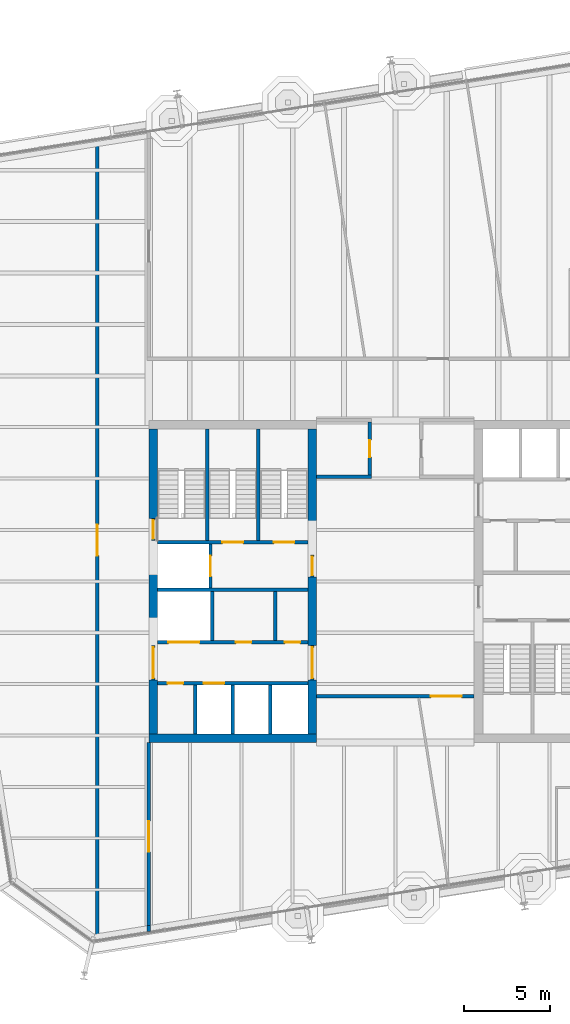
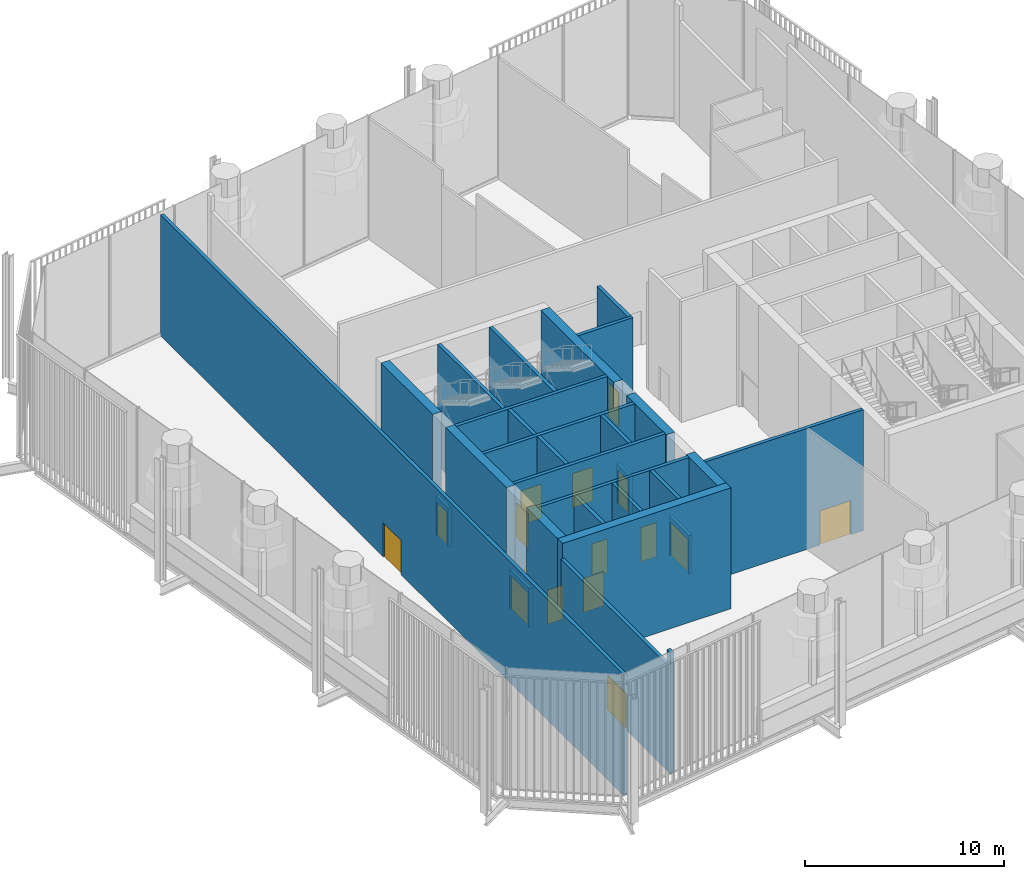
# One storey, part 11 of 17: 29 walls, 16 doors, 16 openings.
"""IFC4 building model written with IfcOpenShell, lengths in metres."""

from ifc_helpers import new_model, si_unit, direction, frame, frame_2d, origin, place, context, subcontext, project, spatial, rectangle, extrude, material, layer, layer_set, type_object, element, fill, save


model = new_model("IFC4")

# Units and contexts
model_context = context("Model", 3, precision=1e-05, world=origin(), true_north=direction((0.0, 1.0)))
body_context = subcontext(model_context, "Body", "Model", "MODEL_VIEW")
ifc_project = project(units=[si_unit("LENGTHUNIT", "METRE"), si_unit("AREAUNIT", "SQUARE_METRE"), si_unit("VOLUMEUNIT", "CUBIC_METRE"), si_unit("PLANEANGLEUNIT", "RADIAN"), si_unit("MASSUNIT", "GRAM", prefix="KILO")], contexts=[model_context])

# Site, building, storey
site_placement = place(None, origin())
site = spatial("IfcSite", under=ifc_project, at=site_placement, CompositionType="ELEMENT")
building_placement = place(site_placement, origin())
building = spatial("IfcBuilding", under=site, at=building_placement, Name="Millrace Tower", CompositionType="ELEMENT")
storey_placement = place(building_placement, frame((0.0, 0.0, 239.800048828125)))
storey = spatial("IfcBuildingStorey", under=building, at=storey_placement, Name="L55", CompositionType="ELEMENT", Elevation=239.800048828125)

# Walls
ifc_material_1 = material(Name="Concrete C60", Category="concrete")
ifc_layer_1 = layer(ifc_material_1, 0.5)
ifc_layer_set_1 = layer_set([ifc_layer_1], Name="Concrete C60")
wall_type_1 = type_object("IfcWallType", Name="Core wall 500 Concrete C60", PredefinedType="SHEAR", material=ifc_layer_set_1)
wall_1_placement = place(storey_placement, frame((-14.39990234375, -9.14990234375, 0.0), z_axis=(0.0, 0.0, 1.0), x_axis=(1.0, 0.0, 0.0)))
element("IfcWall", 1, at=wall_1_placement, inside=storey, type_object=wall_type_1, Name="Core wall W L55", PredefinedType="SHEAR", context=body_context, shape_type="SweptSolid", body=[
    extrude(rectangle(XDim=9.7998046875, YDim=0.5, at=frame_2d((4.89990234375, 0.0))), origin(), (0.0, 0.0, 1.0), 7.43994140625),
])
wall_2_placement = place(storey_placement, frame((-14.14990234375, -8.89990234375, 0.0), z_axis=(0.0, 0.0, 1.0), x_axis=(0.0, 1.0, 0.0)))
element("IfcWall", 2, at=wall_2_placement, inside=storey, type_object=wall_type_1, Name="Core wall W L55", PredefinedType="SHEAR", context=body_context, shape_type="SweptSolid", body=[
    extrude(rectangle(XDim=3.14990234375, YDim=0.5, at=frame_2d((1.574951171875, 0.0))), origin(), (0.0, 0.0, 1.0), 7.43994140625),
])
wall_3_placement = place(storey_placement, frame((-14.14990234375, -3.75, 0.0), z_axis=(0.0, 0.0, 1.0), x_axis=(0.0, 1.0, 0.0)))
element("IfcWall", 3, at=wall_3_placement, inside=storey, type_object=wall_type_1, Name="Core wall W L55", PredefinedType="SHEAR", context=body_context, shape_type="SweptSolid", body=[
    extrude(rectangle(XDim=6.1298828125, YDim=0.5, at=frame_2d((3.06494140625, 0.0))), origin(), (0.0, 0.0, 1.0), 7.43994140625),
])
wall_4_placement = place(storey_placement, frame((-14.14990234375, 3.679931640625, 0.0), z_axis=(0.0, 0.0, 1.0), x_axis=(0.0, 1.0, 0.0)))
element("IfcWall", 4, at=wall_4_placement, inside=storey, type_object=wall_type_1, Name="Core wall W L55", PredefinedType="SHEAR", context=body_context, shape_type="SweptSolid", body=[
    extrude(rectangle(XDim=5.219970703125, YDim=0.5, at=frame_2d((2.60986328125, 0.0))), origin(), (0.0, 0.0, 1.0), 7.43994140625),
])
wall_5_placement = place(storey_placement, frame((-4.85009765625, -8.89990234375, 0.0), z_axis=(0.0, 0.0, 1.0), x_axis=(0.0, 1.0, 0.0)))
element("IfcWall", 5, at=wall_5_placement, inside=storey, type_object=wall_type_1, Name="Core wall W L55", PredefinedType="SHEAR", context=body_context, shape_type="SweptSolid", body=[
    extrude(rectangle(XDim=3.14990234375, YDim=0.5, at=frame_2d((1.574951171875, 0.0))), origin(), (0.0, 0.0, 1.0), 7.43994140625),
])
wall_6_placement = place(storey_placement, frame((-4.85009765625, -3.75, 0.0), z_axis=(0.0, 0.0, 1.0), x_axis=(0.0, 1.0, 0.0)))
element("IfcWall", 6, at=wall_6_placement, inside=storey, type_object=wall_type_1, Name="Core wall W L55", PredefinedType="SHEAR", context=body_context, shape_type="SweptSolid", body=[
    extrude(rectangle(XDim=4.0, YDim=0.5, at=frame_2d((2.0, 0.0))), origin(), (0.0, 0.0, 1.0), 7.43994140625),
])
wall_7_placement = place(storey_placement, frame((-4.85009765625, 1.550048828125, 0.0), z_axis=(0.0, 0.0, 1.0), x_axis=(0.0, 1.0, 0.0)))
element("IfcWall", 7, at=wall_7_placement, inside=storey, type_object=wall_type_1, Name="Core wall W L55", PredefinedType="SHEAR", context=body_context, shape_type="SweptSolid", body=[
    extrude(rectangle(XDim=7.349853515625, YDim=0.5, at=frame_2d((3.6748046875, 0.0))), origin(), (0.0, 0.0, 1.0), 7.43994140625),
])

# Wall, opening, door
ifc_material_2 = material(Name="Masonry partition, fire-rated", Category="masonry")
ifc_layer_2 = layer(ifc_material_2, 0.199951171875)
ifc_layer_set_2 = layer_set([ifc_layer_2], Name="Masonry partition, fire-rated")
wall_type_2 = type_object("IfcWallType", Name="Corridor wall 200", PredefinedType="PARTITIONING", material=ifc_layer_set_2)
wall_8_placement = place(storey_placement, frame((-4.60009765625, -6.699951171875, 0.0), z_axis=(0.0, 0.0, 1.0), x_axis=(1.0, 0.0, 0.0)))
wall_8 = element("IfcWall", 8, at=wall_8_placement, inside=storey, type_object=wall_type_2, Name="Corridor wall L55", PredefinedType="PARTITIONING", context=body_context, shape_type="SweptSolid", body=[
    extrude(rectangle(XDim=9.2001953125, YDim=0.199951171875, at=frame_2d((4.60009765625, 0.0))), origin(), (0.0, 0.0, 1.0), 7.43994140625),
])
opening_1_placement = place(wall_8_placement, frame((6.669921875, 0.0, 0.0)))
opening_1 = element("IfcOpeningElement", 9, at=opening_1_placement, cuts=wall_8, Name="Opening 55-P012", PredefinedType="OPENING", context=body_context, shape_type="SweptSolid", body=[
    extrude(rectangle(XDim=1.800048828125, YDim=2.10009765625, at=frame_2d((0.89990234375, 1.050048828125))), frame((0.0, 0.10986328125, 0.0), z_axis=(0.0, -1.0, 0.0), x_axis=(1.0, 0.0, 0.0)), (0.0, 0.0, 1.0), 0.219970703125),
])
ifc_material_3 = material(Name="Steel door set, fire-rated", Category="steel")
door_type_1 = type_object("IfcDoorType", Name="Corridor door 1800 x 2100", OperationType="DOUBLE_DOOR_SINGLE_SWING", PredefinedType="DOOR", material=ifc_material_3)
door_1_placement = place(opening_1_placement, frame((1.800048828125, 0.0, 0.0), z_axis=(0.0, 0.0, 1.0), x_axis=(-1.0, 0.0, 0.0)))
door_1 = element("IfcDoor", 10, at=door_1_placement, inside=storey, type_object=door_type_1, Name="Door 55-P012", OperationType="DOUBLE_DOOR_SINGLE_SWING", OverallHeight=2.10009765625, OverallWidth=1.800048828125, PredefinedType="DOOR", context=body_context, shape_type="SweptSolid", body=[
    extrude(rectangle(XDim=1.800048828125, YDim=2.10009765625, at=frame_2d((0.89990234375, 1.050048828125))), frame((0.0, 0.02490234375, 0.0), z_axis=(0.0, -1.0, 0.0), x_axis=(1.0, 0.0, 0.0)), (0.0, 0.0, 1.0), 0.050048828125),
])
fill(opening_1, door_1)

# Wall
wall_9_placement = place(storey_placement, frame((-4.60009765625, 6.10009765625, 0.0), z_axis=(0.0, 0.0, 1.0), x_axis=(1.0, 0.0, 0.0)))
element("IfcWall", 11, at=wall_9_placement, inside=storey, type_object=wall_type_2, Name="Corridor wall L55", PredefinedType="PARTITIONING", context=body_context, shape_type="SweptSolid", body=[
    extrude(rectangle(XDim=3.2001953125, YDim=0.199951171875, at=frame_2d((1.60009765625, 0.0))), origin(), (0.0, 0.0, 1.0), 7.43994140625),
])

# Wall, opening, door
wall_10_placement = place(storey_placement, frame((-1.5, 6.199951171875, 0.0), z_axis=(0.0, 0.0, 1.0), x_axis=(0.0, 1.0, 0.0)))
wall_10 = element("IfcWall", 12, at=wall_10_placement, inside=storey, type_object=wall_type_2, Name="Corridor wall L55", PredefinedType="PARTITIONING", context=body_context, shape_type="SweptSolid", body=[
    extrude(rectangle(XDim=3.10009765625, YDim=0.199951171875, at=frame_2d((1.550048828125, 0.0))), origin(), (0.0, 0.0, 1.0), 7.43994140625),
])
opening_2_placement = place(wall_10_placement, frame((1.050048828125, 0.0, 0.0)))
opening_2 = element("IfcOpeningElement", 13, at=opening_2_placement, cuts=wall_10, Name="Opening 55-P001", PredefinedType="OPENING", context=body_context, shape_type="SweptSolid", body=[
    extrude(rectangle(XDim=1.0, YDim=2.10009765625, at=frame_2d((0.5, 1.050048828125))), frame((0.0, 0.10986328125, 0.0), z_axis=(0.0, -1.0, 0.0), x_axis=(1.0, 0.0, 0.0)), (0.0, 0.0, 1.0), 0.219970703125),
])
ifc_material_4 = material(Name="Steel door set, fire-rated", Category="steel")
door_type_2 = type_object("IfcDoorType", Name="Corridor door 1000 x 2100", OperationType="SINGLE_SWING_LEFT", PredefinedType="DOOR", material=ifc_material_4)
door_2_placement = place(opening_2_placement, origin())
door_2 = element("IfcDoor", 14, at=door_2_placement, inside=storey, type_object=door_type_2, Name="Door 55-P001", OperationType="SINGLE_SWING_RIGHT", OverallHeight=2.10009765625, OverallWidth=1.0, PredefinedType="DOOR", context=body_context, shape_type="SweptSolid", body=[
    extrude(rectangle(XDim=1.0, YDim=2.10009765625, at=frame_2d((0.5, 1.050048828125))), frame((0.0, 0.02490234375, 0.0), z_axis=(0.0, -1.0, 0.0), x_axis=(1.0, 0.0, 0.0)), (0.0, 0.0, 1.0), 0.050048828125),
])
fill(opening_2, door_2)

# Wall
wall_11_placement = place(storey_placement, frame((-14.39990234375, -20.43603515625, 0.0), z_axis=(0.0, 0.0, 1.0), x_axis=(0.0, 1.0, 0.0)))
element("IfcWall", 15, at=wall_11_placement, inside=storey, type_object=wall_type_2, Name="Corridor wall L55", PredefinedType="PARTITIONING", context=body_context, shape_type="SweptSolid", body=[
    extrude(rectangle(XDim=0.349609375, YDim=0.199951171875, at=frame_2d((0.1748046875, 0.0))), origin(), (0.0, 0.0, 1.0), 7.43994140625),
])

# Wall, opening, door
wall_12_placement = place(storey_placement, frame((-14.39990234375, -20.08642578125, 0.0), z_axis=(0.0, 0.0, 1.0), x_axis=(0.0, 1.0, 0.0)))
wall_12 = element("IfcWall", 16, at=wall_12_placement, inside=storey, type_object=wall_type_2, Name="Corridor wall L55", PredefinedType="PARTITIONING", context=body_context, shape_type="SweptSolid", body=[
    extrude(rectangle(XDim=10.6865234375, YDim=0.199951171875, at=frame_2d((5.34326171875, 0.0))), origin(), (0.0, 0.0, 1.0), 6.512939453125),
])
opening_3_placement = place(wall_12_placement, frame((4.2939453125, 0.0, 0.0)))
opening_3 = element("IfcOpeningElement", 17, at=opening_3_placement, cuts=wall_12, Name="Opening 55-P011", PredefinedType="OPENING", context=body_context, shape_type="SweptSolid", body=[
    extrude(rectangle(XDim=1.800048828125, YDim=2.10009765625, at=frame_2d((0.89990234375, 1.050048828125))), frame((0.0, 0.10986328125, 0.0), z_axis=(0.0, -1.0, 0.0), x_axis=(1.0, 0.0, 0.0)), (0.0, 0.0, 1.0), 0.219970703125),
])
door_3_placement = place(opening_3_placement, origin())
door_3 = element("IfcDoor", 18, at=door_3_placement, inside=storey, type_object=door_type_1, Name="Door 55-P011", OperationType="DOUBLE_DOOR_SINGLE_SWING", OverallHeight=2.10009765625, OverallWidth=1.800048828125, PredefinedType="DOOR", context=body_context, shape_type="SweptSolid", body=[
    extrude(rectangle(XDim=1.800048828125, YDim=2.10009765625, at=frame_2d((0.89990234375, 1.050048828125))), frame((0.0, 0.02490234375, 0.0), z_axis=(0.0, -1.0, 0.0), x_axis=(1.0, 0.0, 0.0)), (0.0, 0.0, 1.0), 0.050048828125),
])
fill(opening_3, door_3)

wall_13_placement = place(storey_placement, frame((-17.39990234375, -20.9111328125, 0.0), z_axis=(0.0, 0.0, 1.0), x_axis=(0.0, 1.0, 0.0)))
wall_13 = element("IfcWall", 19, at=wall_13_placement, inside=storey, type_object=wall_type_2, Name="Corridor wall L55", PredefinedType="PARTITIONING", context=body_context, shape_type="SweptSolid", body=[
    extrude(rectangle(XDim=46.634033203125, YDim=0.199951171875, at=frame_2d((23.31689453125, 0.0))), origin(), (0.0, 0.0, 1.0), 7.43994140625),
])
opening_4_placement = place(wall_13_placement, frame((22.416748046875, 0.0, 0.0)))
opening_4 = element("IfcOpeningElement", 20, at=opening_4_placement, cuts=wall_13, Name="Opening 55-P003", PredefinedType="OPENING", context=body_context, shape_type="SweptSolid", body=[
    extrude(rectangle(XDim=1.800048828125, YDim=2.10009765625, at=frame_2d((0.89990234375, 1.050048828125))), frame((0.0, 0.10986328125, 0.0), z_axis=(0.0, -1.0, 0.0), x_axis=(1.0, 0.0, 0.0)), (0.0, 0.0, 1.0), 0.219970703125),
])
door_4_placement = place(opening_4_placement, frame((1.800048828125, 0.0, 0.0), z_axis=(0.0, 0.0, 1.0), x_axis=(-1.0, 0.0, 0.0)))
door_4 = element("IfcDoor", 21, at=door_4_placement, inside=storey, type_object=door_type_1, Name="Door 55-P003", OperationType="DOUBLE_DOOR_SINGLE_SWING", OverallHeight=2.10009765625, OverallWidth=1.800048828125, PredefinedType="DOOR", context=body_context, shape_type="SweptSolid", body=[
    extrude(rectangle(XDim=1.800048828125, YDim=2.10009765625, at=frame_2d((0.89990234375, 1.050048828125))), frame((0.0, 0.02490234375, 0.0), z_axis=(0.0, -1.0, 0.0), x_axis=(1.0, 0.0, 0.0)), (0.0, 0.0, 1.0), 0.050048828125),
])
fill(opening_4, door_4)

# Wall, openings, doors
ifc_material_5 = material(Name="Masonry partition, fire-rated", Category="masonry")
ifc_layer_3 = layer(ifc_material_5, 0.199951171875)
ifc_layer_set_3 = layer_set([ifc_layer_3], Name="Masonry partition, fire-rated")
wall_type_3 = type_object("IfcWallType", Name="Lift shaft wall 200", PredefinedType="PARTITIONING", material=ifc_layer_set_3)
wall_14_placement = place(storey_placement, frame((-13.89990234375, -5.949951171875, 0.0), z_axis=(0.0, 0.0, 1.0), x_axis=(1.0, 0.0, 0.0)))
wall_14 = element("IfcWall", 22, at=wall_14_placement, inside=storey, type_object=wall_type_3, Name="Lift shaft wall W L55", PredefinedType="PARTITIONING", context=body_context, shape_type="SweptSolid", body=[
    extrude(rectangle(XDim=8.7998046875, YDim=0.199951171875, at=frame_2d((4.39990234375, 0.0))), origin(), (0.0, 0.0, 1.0), 7.43994140625),
])
opening_5_placement = place(wall_14_placement, frame((2.699951171875, 0.0, 0.0)))
opening_5 = element("IfcOpeningElement", 23, at=opening_5_placement, cuts=wall_14, Name="Opening 55-LD02", PredefinedType="OPENING", context=body_context, shape_type="SweptSolid", body=[
    extrude(rectangle(XDim=1.199951171875, YDim=2.10009765625, at=frame_2d((0.60009765625, 1.050048828125))), frame((0.0, 0.10986328125, 0.0), z_axis=(0.0, -1.0, 0.0), x_axis=(1.0, 0.0, 0.0)), (0.0, 0.0, 1.0), 0.219970703125),
])
opening_6_placement = place(wall_14_placement, frame((0.60009765625, 0.0, 0.0)))
opening_6 = element("IfcOpeningElement", 24, at=opening_6_placement, cuts=wall_14, Name="Opening 55-C005", PredefinedType="OPENING", context=body_context, shape_type="SweptSolid", body=[
    extrude(rectangle(XDim=0.89990234375, YDim=2.10009765625, at=frame_2d((0.449951171875, 1.050048828125))), frame((0.0, 0.10986328125, 0.0), z_axis=(0.0, -1.0, 0.0), x_axis=(1.0, 0.0, 0.0)), (0.0, 0.0, 1.0), 0.219970703125),
])
ifc_material_6 = material(Name="Stainless steel, fire-rated", Category="steel")
door_type_3 = type_object("IfcDoorType", Name="Lift landing door 1200 x 2100", OperationType="DOUBLE_DOOR_SLIDING", PredefinedType="DOOR", material=ifc_material_6)
door_5_placement = place(opening_5_placement, origin())
door_5 = element("IfcDoor", 25, at=door_5_placement, inside=storey, type_object=door_type_3, Name="Lift landing door LF2 L55", OperationType="DOUBLE_DOOR_SLIDING", OverallHeight=2.10009765625, OverallWidth=1.199951171875, PredefinedType="DOOR", context=body_context, shape_type="SweptSolid", body=[
    extrude(rectangle(XDim=1.199951171875, YDim=2.10009765625, at=frame_2d((0.60009765625, 1.050048828125))), frame((0.0, 0.02490234375, 0.0), z_axis=(0.0, -1.0, 0.0), x_axis=(1.0, 0.0, 0.0)), (0.0, 0.0, 1.0), 0.050048828125),
])
fill(opening_5, door_5)
ifc_material_7 = material(Name="Steel door, fire-rated", Category="steel")
door_type_4 = type_object("IfcDoorType", Name="Service room door 900 x 2100", OperationType="SINGLE_SWING_LEFT", PredefinedType="DOOR", material=ifc_material_7)
door_6_placement = place(opening_6_placement, frame((0.89990234375, 0.0, 0.0), z_axis=(0.0, 0.0, 1.0), x_axis=(-1.0, 0.0, 0.0)))
door_6 = element("IfcDoor", 26, at=door_6_placement, inside=storey, type_object=door_type_4, Name="Service room door 55-C005", OperationType="SINGLE_SWING_RIGHT", OverallHeight=2.10009765625, OverallWidth=0.89990234375, PredefinedType="DOOR", context=body_context, shape_type="SweptSolid", body=[
    extrude(rectangle(XDim=0.89990234375, YDim=2.10009765625, at=frame_2d((0.449951171875, 1.050048828125))), frame((0.0, 0.02490234375, 0.0), z_axis=(0.0, -1.0, 0.0), x_axis=(1.0, 0.0, 0.0)), (0.0, 0.0, 1.0), 0.050048828125),
])
fill(opening_6, door_6)

wall_15_placement = place(storey_placement, frame((-13.89990234375, -3.550048828125, 0.0), z_axis=(0.0, 0.0, 1.0), x_axis=(1.0, 0.0, 0.0)))
wall_15 = element("IfcWall", 27, at=wall_15_placement, inside=storey, type_object=wall_type_3, Name="Lift shaft wall W L55", PredefinedType="PARTITIONING", context=body_context, shape_type="SweptSolid", body=[
    extrude(rectangle(XDim=8.7998046875, YDim=0.199951171875, at=frame_2d((4.39990234375, 0.0))), origin(), (0.0, 0.0, 1.0), 7.43994140625),
])
opening_7_placement = place(wall_15_placement, frame((0.64990234375, 0.0, 0.0)))
opening_7 = element("IfcOpeningElement", 28, at=opening_7_placement, cuts=wall_15, Name="Opening 55-LD05", PredefinedType="OPENING", context=body_context, shape_type="SweptSolid", body=[
    extrude(rectangle(XDim=1.800048828125, YDim=2.10009765625, at=frame_2d((0.89990234375, 1.050048828125))), frame((0.0, 0.10986328125, 0.0), z_axis=(0.0, -1.0, 0.0), x_axis=(1.0, 0.0, 0.0)), (0.0, 0.0, 1.0), 0.219970703125),
])
opening_8_placement = place(wall_15_placement, frame((4.58740234375, 0.0, 0.0)))
opening_8 = element("IfcOpeningElement", 29, at=opening_8_placement, cuts=wall_15, Name="Opening 55-C006", PredefinedType="OPENING", context=body_context, shape_type="SweptSolid", body=[
    extrude(rectangle(XDim=0.89990234375, YDim=2.10009765625, at=frame_2d((0.449951171875, 1.050048828125))), frame((0.0, 0.10986328125, 0.0), z_axis=(0.0, -1.0, 0.0), x_axis=(1.0, 0.0, 0.0)), (0.0, 0.0, 1.0), 0.219970703125),
])
opening_9_placement = place(wall_15_placement, frame((7.4375, 0.0, 0.0)))
opening_9 = element("IfcOpeningElement", 30, at=opening_9_placement, cuts=wall_15, Name="Opening 55-C007", PredefinedType="OPENING", context=body_context, shape_type="SweptSolid", body=[
    extrude(rectangle(XDim=0.89990234375, YDim=2.10009765625, at=frame_2d((0.449951171875, 1.050048828125))), frame((0.0, 0.10986328125, 0.0), z_axis=(0.0, -1.0, 0.0), x_axis=(1.0, 0.0, 0.0)), (0.0, 0.0, 1.0), 0.219970703125),
])
ifc_material_8 = material(Name="Stainless steel, fire-rated", Category="steel")
door_type_5 = type_object("IfcDoorType", Name="Lift landing door 1800 x 2100", OperationType="DOUBLE_DOOR_SLIDING", PredefinedType="DOOR", material=ifc_material_8)
door_7_placement = place(opening_7_placement, origin())
door_7 = element("IfcDoor", 31, at=door_7_placement, inside=storey, type_object=door_type_5, Name="Lift landing door LF5 L55", OperationType="DOUBLE_DOOR_SLIDING", OverallHeight=2.10009765625, OverallWidth=1.800048828125, PredefinedType="DOOR", context=body_context, shape_type="SweptSolid", body=[
    extrude(rectangle(XDim=1.800048828125, YDim=2.10009765625, at=frame_2d((0.89990234375, 1.050048828125))), frame((0.0, 0.02490234375, 0.0), z_axis=(0.0, -1.0, 0.0), x_axis=(1.0, 0.0, 0.0)), (0.0, 0.0, 1.0), 0.050048828125),
])
fill(opening_7, door_7)
door_8_placement = place(opening_8_placement, origin())
door_8 = element("IfcDoor", 32, at=door_8_placement, inside=storey, type_object=door_type_4, Name="Service room door 55-C006", OperationType="SINGLE_SWING_RIGHT", OverallHeight=2.10009765625, OverallWidth=0.89990234375, PredefinedType="DOOR", context=body_context, shape_type="SweptSolid", body=[
    extrude(rectangle(XDim=0.89990234375, YDim=2.10009765625, at=frame_2d((0.449951171875, 1.050048828125))), frame((0.0, 0.02490234375, 0.0), z_axis=(0.0, -1.0, 0.0), x_axis=(1.0, 0.0, 0.0)), (0.0, 0.0, 1.0), 0.050048828125),
])
fill(opening_8, door_8)
door_9_placement = place(opening_9_placement, origin())
door_9 = element("IfcDoor", 33, at=door_9_placement, inside=storey, type_object=door_type_4, Name="Service room door 55-C007", OperationType="SINGLE_SWING_RIGHT", OverallHeight=2.10009765625, OverallWidth=0.89990234375, PredefinedType="DOOR", context=body_context, shape_type="SweptSolid", body=[
    extrude(rectangle(XDim=0.89990234375, YDim=2.10009765625, at=frame_2d((0.449951171875, 1.050048828125))), frame((0.0, 0.02490234375, 0.0), z_axis=(0.0, -1.0, 0.0), x_axis=(1.0, 0.0, 0.0)), (0.0, 0.0, 1.0), 0.050048828125),
])
fill(opening_9, door_9)

# Wall
wall_16_placement = place(storey_placement, frame((-13.89990234375, -0.5, 0.0), z_axis=(0.0, 0.0, 1.0), x_axis=(1.0, 0.0, 0.0)))
element("IfcWall", 34, at=wall_16_placement, inside=storey, type_object=wall_type_3, Name="Lift shaft wall W L55", PredefinedType="PARTITIONING", context=body_context, shape_type="SweptSolid", body=[
    extrude(rectangle(XDim=8.7998046875, YDim=0.199951171875, at=frame_2d((4.39990234375, 0.0))), origin(), (0.0, 0.0, 1.0), 7.43994140625),
])

# Wall, opening, door
wall_17_placement = place(storey_placement, frame((-10.800048828125, -0.39990234375, 0.0), z_axis=(0.0, 0.0, 1.0), x_axis=(0.0, 1.0, 0.0)))
wall_17 = element("IfcWall", 35, at=wall_17_placement, inside=storey, type_object=wall_type_3, Name="Lift shaft wall W L55", PredefinedType="PARTITIONING", context=body_context, shape_type="SweptSolid", body=[
    extrude(rectangle(XDim=2.579833984375, YDim=0.199951171875, at=frame_2d((1.2900390625, 0.0))), origin(), (0.0, 0.0, 1.0), 7.43994140625),
])
opening_10_placement = place(wall_17_placement, frame((0.68994140625, 0.0, 0.0)))
opening_10 = element("IfcOpeningElement", 36, at=opening_10_placement, cuts=wall_17, Name="Opening 55-LD08", PredefinedType="OPENING", context=body_context, shape_type="SweptSolid", body=[
    extrude(rectangle(XDim=1.199951171875, YDim=2.10009765625, at=frame_2d((0.60009765625, 1.050048828125))), frame((0.0, 0.10986328125, 0.0), z_axis=(0.0, -1.0, 0.0), x_axis=(1.0, 0.0, 0.0)), (0.0, 0.0, 1.0), 0.219970703125),
])
door_10_placement = place(opening_10_placement, origin())
door_10 = element("IfcDoor", 37, at=door_10_placement, inside=storey, type_object=door_type_3, Name="Lift landing door LF8 L55", OperationType="DOUBLE_DOOR_SLIDING", OverallHeight=2.10009765625, OverallWidth=1.199951171875, PredefinedType="DOOR", context=body_context, shape_type="SweptSolid", body=[
    extrude(rectangle(XDim=1.199951171875, YDim=2.10009765625, at=frame_2d((0.60009765625, 1.050048828125))), frame((0.0, 0.02490234375, 0.0), z_axis=(0.0, -1.0, 0.0), x_axis=(1.0, 0.0, 0.0)), (0.0, 0.0, 1.0), 0.050048828125),
])
fill(opening_10, door_10)

# Walls
for number, where, z_axis, x_axis, name in (
    (38, (-11.699951171875, -8.89990234375, 0.0), (0.0, 0.0, 1.0), (0.0, 1.0, 0.0), "Lift shaft wall W L55"),
    (39, (-9.5, -8.89990234375, 0.0), (0.0, 0.0, 1.0), (0.0, 1.0, 0.0), "Lift shaft wall W L55"),
    (40, (-7.300048828125, -8.89990234375, 0.0), (0.0, 0.0, 1.0), (0.0, 1.0, 0.0), "Lift shaft wall W L55"),
    (41, (-10.699951171875, -3.449951171875, 0.0), (0.0, 0.0, 1.0), (0.0, 1.0, 0.0), "Lift shaft wall W L55"),
):
    element("IfcWall", number, at=place(storey_placement, frame(where, z_axis=z_axis, x_axis=x_axis)), inside=storey, type_object=wall_type_3, Name=name, PredefinedType="PARTITIONING", context=body_context, shape_type="SweptSolid", body=[
        extrude(rectangle(XDim=2.849853515625, YDim=0.199951171875, at=frame_2d((1.4248046875, 0.0))), origin(), (0.0, 0.0, 1.0), 7.43994140625),
    ])

# Wall, opening, door
ifc_material_9 = material(Name="Masonry partition, fire-rated", Category="masonry")
ifc_layer_4 = layer(ifc_material_9, 0.199951171875)
ifc_layer_set_4 = layer_set([ifc_layer_4], Name="Masonry partition, fire-rated")
wall_type_4 = type_object("IfcWallType", Name="Lobby wall 200", PredefinedType="PARTITIONING", material=ifc_layer_set_4)
wall_18_placement = place(storey_placement, frame((-14.14990234375, -5.75, 0.0), z_axis=(0.0, 0.0, 1.0), x_axis=(0.0, 1.0, 0.0)))
wall_18 = element("IfcWall", 42, at=wall_18_placement, inside=storey, type_object=wall_type_4, Name="Lobby wall W L55", PredefinedType="PARTITIONING", context=body_context, shape_type="SweptSolid", body=[
    extrude(rectangle(XDim=2.0, YDim=0.199951171875, at=frame_2d((1.0, 0.0))), origin(), (0.0, 0.0, 1.0), 2.39990234375),
])
opening_11_placement = place(wall_18_placement, frame((0.10009765625, 0.0, 0.0)))
opening_11 = element("IfcOpeningElement", 43, at=opening_11_placement, cuts=wall_18, Name="Opening 55-C001", PredefinedType="OPENING", context=body_context, shape_type="SweptSolid", body=[
    extrude(rectangle(XDim=1.800048828125, YDim=2.10009765625, at=frame_2d((0.89990234375, 1.050048828125))), frame((0.0, 0.10986328125, 0.0), z_axis=(0.0, -1.0, 0.0), x_axis=(1.0, 0.0, 0.0)), (0.0, 0.0, 1.0), 0.219970703125),
])
ifc_material_10 = material(Name="Steel door, fire-rated", Category="steel")
door_type_6 = type_object("IfcDoorType", Name="Lobby door 1800 x 2100", OperationType="DOUBLE_DOOR_SINGLE_SWING", PredefinedType="DOOR", material=ifc_material_10)
door_11_placement = place(opening_11_placement, origin())
door_11 = element("IfcDoor", 44, at=door_11_placement, inside=storey, type_object=door_type_6, Name="Lobby door 55-C001", OperationType="DOUBLE_DOOR_SINGLE_SWING", OverallHeight=2.10009765625, OverallWidth=1.800048828125, PredefinedType="DOOR", context=body_context, shape_type="SweptSolid", body=[
    extrude(rectangle(XDim=1.800048828125, YDim=2.10009765625, at=frame_2d((0.89990234375, 1.050048828125))), frame((0.0, 0.02490234375, 0.0), z_axis=(0.0, -1.0, 0.0), x_axis=(1.0, 0.0, 0.0)), (0.0, 0.0, 1.0), 0.050048828125),
])
fill(opening_11, door_11)

wall_19_placement = place(storey_placement, frame((-4.85009765625, -5.75, 0.0), z_axis=(0.0, 0.0, 1.0), x_axis=(0.0, 1.0, 0.0)))
wall_19 = element("IfcWall", 45, at=wall_19_placement, inside=storey, type_object=wall_type_4, Name="Lobby wall W L55", PredefinedType="PARTITIONING", context=body_context, shape_type="SweptSolid", body=[
    extrude(rectangle(XDim=2.0, YDim=0.199951171875, at=frame_2d((1.0, 0.0))), origin(), (0.0, 0.0, 1.0), 2.39990234375),
])
opening_12_placement = place(wall_19_placement, frame((0.10009765625, 0.0, 0.0)))
opening_12 = element("IfcOpeningElement", 46, at=opening_12_placement, cuts=wall_19, Name="Opening 55-C003", PredefinedType="OPENING", context=body_context, shape_type="SweptSolid", body=[
    extrude(rectangle(XDim=1.800048828125, YDim=2.10009765625, at=frame_2d((0.89990234375, 1.050048828125))), frame((0.0, 0.10986328125, 0.0), z_axis=(0.0, -1.0, 0.0), x_axis=(1.0, 0.0, 0.0)), (0.0, 0.0, 1.0), 0.219970703125),
])
door_12_placement = place(opening_12_placement, frame((1.800048828125, 0.0, 0.0), z_axis=(0.0, 0.0, 1.0), x_axis=(-1.0, 0.0, 0.0)))
door_12 = element("IfcDoor", 47, at=door_12_placement, inside=storey, type_object=door_type_6, Name="Lobby door 55-C003", OperationType="DOUBLE_DOOR_SINGLE_SWING", OverallHeight=2.10009765625, OverallWidth=1.800048828125, PredefinedType="DOOR", context=body_context, shape_type="SweptSolid", body=[
    extrude(rectangle(XDim=1.800048828125, YDim=2.10009765625, at=frame_2d((0.89990234375, 1.050048828125))), frame((0.0, 0.02490234375, 0.0), z_axis=(0.0, -1.0, 0.0), x_axis=(1.0, 0.0, 0.0)), (0.0, 0.0, 1.0), 0.050048828125),
])
fill(opening_12, door_12)

wall_20_placement = place(storey_placement, frame((-4.85009765625, 0.25, 0.0), z_axis=(0.0, 0.0, 1.0), x_axis=(0.0, 1.0, 0.0)))
wall_20 = element("IfcWall", 48, at=wall_20_placement, inside=storey, type_object=wall_type_4, Name="Lobby wall W L55", PredefinedType="PARTITIONING", context=body_context, shape_type="SweptSolid", body=[
    extrude(rectangle(XDim=1.300048828125, YDim=0.199951171875, at=frame_2d((0.64990234375, 0.0))), origin(), (0.0, 0.0, 1.0), 2.39990234375),
])
opening_13_placement = place(wall_20_placement, frame((0.10009765625, 0.0, 0.0)))
opening_13 = element("IfcOpeningElement", 49, at=opening_13_placement, cuts=wall_20, Name="Opening 55-C004", PredefinedType="OPENING", context=body_context, shape_type="SweptSolid", body=[
    extrude(rectangle(XDim=1.10009765625, YDim=2.10009765625, at=frame_2d((0.550048828125, 1.050048828125))), frame((0.0, 0.10986328125, 0.0), z_axis=(0.0, -1.0, 0.0), x_axis=(1.0, 0.0, 0.0)), (0.0, 0.0, 1.0), 0.219970703125),
])
ifc_material_11 = material(Name="Steel door, fire-rated", Category="steel")
door_type_7 = type_object("IfcDoorType", Name="Lobby door 1100 x 2100", OperationType="SINGLE_SWING_LEFT", PredefinedType="DOOR", material=ifc_material_11)
door_13_placement = place(opening_13_placement, frame((1.10009765625, 0.0, 0.0), z_axis=(0.0, 0.0, 1.0), x_axis=(-1.0, 0.0, 0.0)))
door_13 = element("IfcDoor", 50, at=door_13_placement, inside=storey, type_object=door_type_7, Name="Lobby door 55-C004", OperationType="SINGLE_SWING_RIGHT", OverallHeight=2.10009765625, OverallWidth=1.10009765625, PredefinedType="DOOR", context=body_context, shape_type="SweptSolid", body=[
    extrude(rectangle(XDim=1.10009765625, YDim=2.10009765625, at=frame_2d((0.550048828125, 1.050048828125))), frame((0.0, 0.02490234375, 0.0), z_axis=(0.0, -1.0, 0.0), x_axis=(1.0, 0.0, 0.0)), (0.0, 0.0, 1.0), 0.050048828125),
])
fill(opening_13, door_13)

# Wall
ifc_material_12 = material(Name="Masonry partition, fire-rated", Category="masonry")
ifc_layer_5 = layer(ifc_material_12, 0.199951171875)
ifc_layer_set_5 = layer_set([ifc_layer_5], Name="Masonry partition, fire-rated")
wall_type_5 = type_object("IfcWallType", Name="Room partition 200", PredefinedType="PARTITIONING", material=ifc_layer_set_5)
wall_21_placement = place(storey_placement, frame((-7.02490234375, -3.449951171875, 0.0), z_axis=(0.0, 0.0, 1.0), x_axis=(0.0, 1.0, 0.0)))
element("IfcWall", 51, at=wall_21_placement, inside=storey, type_object=wall_type_5, Name="Room partition W L55", PredefinedType="PARTITIONING", context=body_context, shape_type="SweptSolid", body=[
    extrude(rectangle(XDim=2.849853515625, YDim=0.199951171875, at=frame_2d((1.4248046875, 0.0))), origin(), (0.0, 0.0, 1.0), 7.43994140625),
])

# Wall, opening, door
ifc_material_13 = material(Name="Concrete C40", Category="concrete")
ifc_layer_6 = layer(ifc_material_13, 0.199951171875)
ifc_layer_set_6 = layer_set([ifc_layer_6], Name="Concrete C40")
wall_type_6 = type_object("IfcWallType", Name="Stair enclosure wall 200 Concrete C40", PredefinedType="SHEAR", material=ifc_layer_set_6)
wall_22_placement = place(storey_placement, frame((-14.14990234375, 2.3798828125, 0.0), z_axis=(0.0, 0.0, 1.0), x_axis=(0.0, 1.0, 0.0)))
wall_22 = element("IfcWall", 52, at=wall_22_placement, inside=storey, type_object=wall_type_6, Name="Stair enclosure wall W L55", PredefinedType="SHEAR", context=body_context, shape_type="SweptSolid", body=[
    extrude(rectangle(XDim=1.300048828125, YDim=0.199951171875, at=frame_2d((0.64990234375, 0.0))), origin(), (0.0, 0.0, 1.0), 2.39990234375),
])
opening_14_placement = place(wall_22_placement, frame((0.10009765625, 0.0, 0.0)))
opening_14 = element("IfcOpeningElement", 53, at=opening_14_placement, cuts=wall_22, Name="Opening 55-C002", PredefinedType="OPENING", context=body_context, shape_type="SweptSolid", body=[
    extrude(rectangle(XDim=1.10009765625, YDim=2.10009765625, at=frame_2d((0.550048828125, 1.050048828125))), frame((0.0, 0.10986328125, 0.0), z_axis=(0.0, -1.0, 0.0), x_axis=(1.0, 0.0, 0.0)), (0.0, 0.0, 1.0), 0.219970703125),
])
ifc_material_14 = material(Name="Steel door, fire-rated", Category="steel")
door_type_8 = type_object("IfcDoorType", Name="Stair door 1100 x 2100", OperationType="SINGLE_SWING_LEFT", PredefinedType="DOOR", material=ifc_material_14)
door_14_placement = place(opening_14_placement, origin())
door_14 = element("IfcDoor", 54, at=door_14_placement, inside=storey, type_object=door_type_8, Name="Stair door 55-C002", OperationType="SINGLE_SWING_RIGHT", OverallHeight=2.10009765625, OverallWidth=1.10009765625, PredefinedType="DOOR", context=body_context, shape_type="SweptSolid", body=[
    extrude(rectangle(XDim=1.10009765625, YDim=2.10009765625, at=frame_2d((0.550048828125, 1.050048828125))), frame((0.0, 0.02490234375, 0.0), z_axis=(0.0, -1.0, 0.0), x_axis=(1.0, 0.0, 0.0)), (0.0, 0.0, 1.0), 0.050048828125),
])
fill(opening_14, door_14)

# Wall, openings, doors
wall_23_placement = place(storey_placement, frame((-13.89990234375, 2.280029296875, 0.0), z_axis=(0.0, 0.0, 1.0), x_axis=(1.0, 0.0, 0.0)))
wall_23 = element("IfcWall", 55, at=wall_23_placement, inside=storey, type_object=wall_type_6, Name="Stair enclosure wall W L55", PredefinedType="SHEAR", context=body_context, shape_type="SweptSolid", body=[
    extrude(rectangle(XDim=8.7998046875, YDim=0.199951171875, at=frame_2d((4.39990234375, 0.0))), origin(), (0.0, 0.0, 1.0), 7.43994140625),
])
opening_15_placement = place(wall_23_placement, frame((3.800048828125, 0.0, 0.0)))
opening_15 = element("IfcOpeningElement", 56, at=opening_15_placement, cuts=wall_23, Name="Opening 55-C008", PredefinedType="OPENING", context=body_context, shape_type="SweptSolid", body=[
    extrude(rectangle(XDim=1.199951171875, YDim=2.10009765625, at=frame_2d((0.60009765625, 1.050048828125))), frame((0.0, 0.10986328125, 0.0), z_axis=(0.0, -1.0, 0.0), x_axis=(1.0, 0.0, 0.0)), (0.0, 0.0, 1.0), 0.219970703125),
])
opening_16_placement = place(wall_23_placement, frame((6.800048828125, 0.0, 0.0)))
opening_16 = element("IfcOpeningElement", 57, at=opening_16_placement, cuts=wall_23, Name="Opening 55-C009", PredefinedType="OPENING", context=body_context, shape_type="SweptSolid", body=[
    extrude(rectangle(XDim=1.199951171875, YDim=2.10009765625, at=frame_2d((0.60009765625, 1.050048828125))), frame((0.0, 0.10986328125, 0.0), z_axis=(0.0, -1.0, 0.0), x_axis=(1.0, 0.0, 0.0)), (0.0, 0.0, 1.0), 0.219970703125),
])
ifc_material_15 = material(Name="Steel door, fire-rated", Category="steel")
door_type_9 = type_object("IfcDoorType", Name="Stair door 1200 x 2100", OperationType="SINGLE_SWING_LEFT", PredefinedType="DOOR", material=ifc_material_15)
door_15_placement = place(opening_15_placement, frame((1.199951171875, 0.0, 0.0), z_axis=(0.0, 0.0, 1.0), x_axis=(-1.0, 0.0, 0.0)))
door_15 = element("IfcDoor", 58, at=door_15_placement, inside=storey, type_object=door_type_9, Name="Stair door 55-C008", OperationType="SINGLE_SWING_LEFT", OverallHeight=2.10009765625, OverallWidth=1.199951171875, PredefinedType="DOOR", context=body_context, shape_type="SweptSolid", body=[
    extrude(rectangle(XDim=1.199951171875, YDim=2.10009765625, at=frame_2d((0.60009765625, 1.050048828125))), frame((0.0, 0.02490234375, 0.0), z_axis=(0.0, -1.0, 0.0), x_axis=(1.0, 0.0, 0.0)), (0.0, 0.0, 1.0), 0.050048828125),
])
fill(opening_15, door_15)
door_16_placement = place(opening_16_placement, frame((1.199951171875, 0.0, 0.0), z_axis=(0.0, 0.0, 1.0), x_axis=(-1.0, 0.0, 0.0)))
door_16 = element("IfcDoor", 59, at=door_16_placement, inside=storey, type_object=door_type_9, Name="Stair door 55-C009", OperationType="SINGLE_SWING_LEFT", OverallHeight=2.10009765625, OverallWidth=1.199951171875, PredefinedType="DOOR", context=body_context, shape_type="SweptSolid", body=[
    extrude(rectangle(XDim=1.199951171875, YDim=2.10009765625, at=frame_2d((0.60009765625, 1.050048828125))), frame((0.0, 0.02490234375, 0.0), z_axis=(0.0, -1.0, 0.0), x_axis=(1.0, 0.0, 0.0)), (0.0, 0.0, 1.0), 0.050048828125),
])
fill(opening_16, door_16)

# Walls
for number, where, z_axis, x_axis, name in (
    (60, (-11.0, 2.3798828125, 0.0), (0.0, 0.0, 1.0), (0.0, 1.0, 0.0), "Stair enclosure wall W L55"),
    (61, (-8.0, 2.3798828125, 0.0), (0.0, 0.0, 1.0), (0.0, 1.0, 0.0), "Stair enclosure wall W L55"),
):
    element("IfcWall", number, at=place(storey_placement, frame(where, z_axis=z_axis, x_axis=x_axis)), inside=storey, type_object=wall_type_6, Name=name, PredefinedType="SHEAR", context=body_context, shape_type="SweptSolid", body=[
        extrude(rectangle(XDim=6.52001953125, YDim=0.199951171875, at=frame_2d((3.260009765625, 0.0))), origin(), (0.0, 0.0, 1.0), 7.43994140625),
    ])

save(model, "model.ifc")
